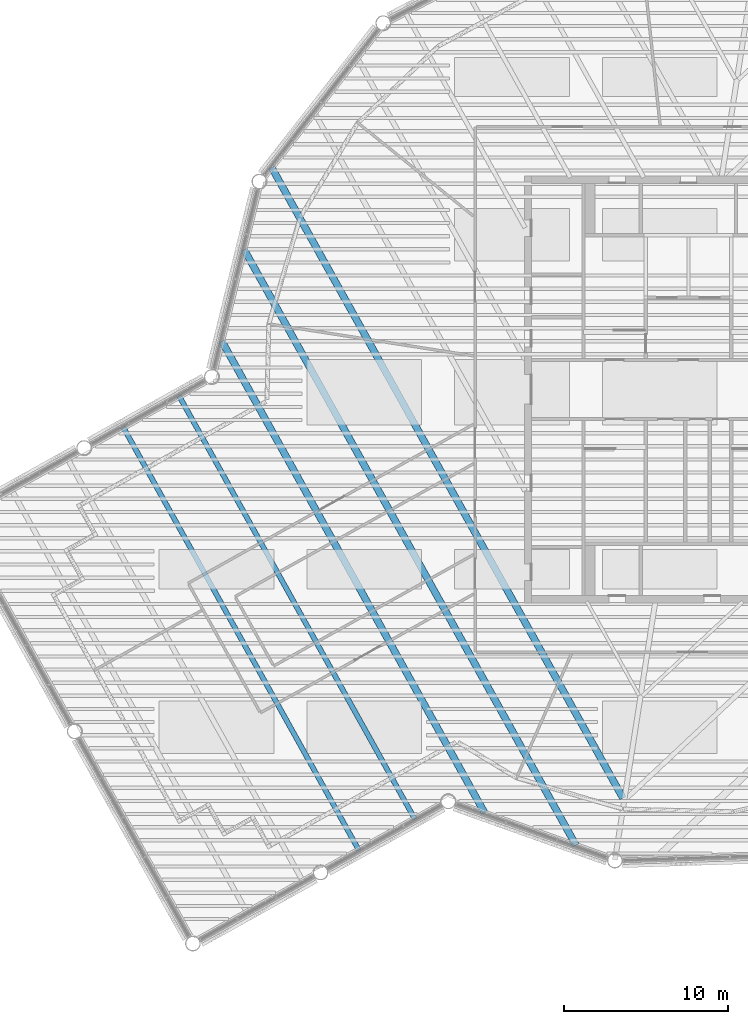
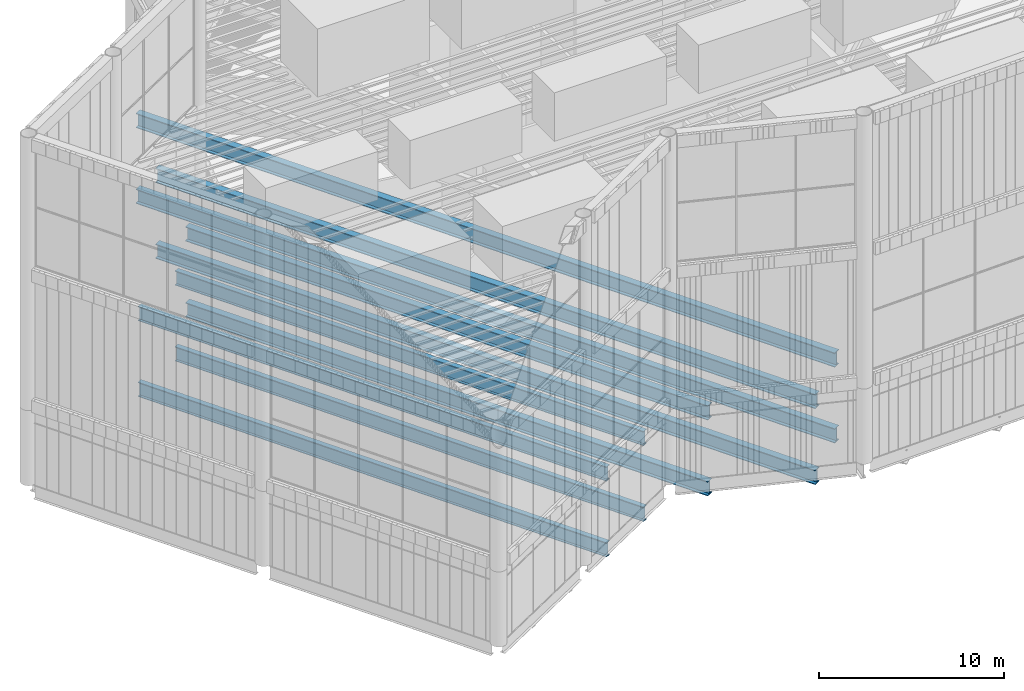
# One storey, part 20 of 117: 10 beams.
"""IFC4 building model written with IfcOpenShell, lengths in metres."""

from ifc_helpers import new_model, si_unit, direction, frame, origin, origin_2d, place, context, subcontext, project, spatial, i_section, extrude, material, material_profile, profile_set, type_object, element, save


model = new_model("IFC4")

# Units and contexts
model_context = context("Model", 3, precision=1e-05, world=origin(), true_north=direction((0.0, 1.0)))
body_context = subcontext(model_context, "Body", "Model", "MODEL_VIEW")
ifc_project = project(units=[si_unit("LENGTHUNIT", "METRE"), si_unit("AREAUNIT", "SQUARE_METRE"), si_unit("VOLUMEUNIT", "CUBIC_METRE"), si_unit("PLANEANGLEUNIT", "RADIAN"), si_unit("MASSUNIT", "GRAM", prefix="KILO")], contexts=[model_context])

# Site, building, storey
site_placement = place(None, origin())
site = spatial("IfcSite", under=ifc_project, at=site_placement, CompositionType="ELEMENT")
building_placement = place(site_placement, origin())
building = spatial("IfcBuilding", under=site, at=building_placement, Name="Tarsis Ring Headquarters", CompositionType="ELEMENT")
storey_placement = place(building_placement, frame((0.0, 0.0, 403.60009765625)))
storey = spatial("IfcBuildingStorey", under=building, at=storey_placement, Name="L95", CompositionType="ELEMENT", Elevation=403.60009765625)

# Beams
ifc_material = material(Name="Structural steel S355", Category="steel")
ifc_material_profile_1 = material_profile(ifc_material, i_section(OverallWidth=0.309814453125, OverallDepth=0.949951171875, WebThickness=0.0244140625, FlangeThickness=0.0439453125, at=origin_2d()), Name="W36x256")
ifc_profile_set_1 = profile_set([ifc_material_profile_1], Name="Structural steel S355")
beam_type_1 = type_object("IfcBeamType", Name="FB Floor beam W36x256", PredefinedType="JOIST", material=ifc_profile_set_1)
beam_1_placement = place(storey_placement, frame((-31.026123046875, -0.40185546875, -0.775146484375), z_axis=(0.486642690536, -0.873601105624, 0.0), x_axis=(0.873601105624, 0.486642690536, 0.0)))
element("IfcBeam", 1, at=beam_1_placement, inside=storey, type_object=beam_type_1, Name="Floor beam FB11", PredefinedType="JOIST", context=body_context, shape_type="SweptSolid", body=[
    extrude(i_section(OverallWidth=0.309814453125, OverallDepth=0.949951171875, WebThickness=0.0244140625, FlangeThickness=0.0439453125, at=origin_2d()), origin(), (0.0, 0.0, 1.0), 29.494873046875),
])
beam_2_placement = place(storey_placement, frame((-34.43310546875, -2.299560546875, -0.775146484375), z_axis=(0.486639171589, -0.873603065857, 0.0), x_axis=(0.873603065857, 0.486639171589, 0.0)))
element("IfcBeam", 2, at=beam_2_placement, inside=storey, type_object=beam_type_1, Name="Floor beam FB11", PredefinedType="JOIST", context=body_context, shape_type="SweptSolid", body=[
    extrude(i_section(OverallWidth=0.309814453125, OverallDepth=0.949951171875, WebThickness=0.0244140625, FlangeThickness=0.0439453125, at=origin_2d()), origin(), (0.0, 0.0, 1.0), 29.4951171875),
])
beam_3_placement = place(storey_placement, frame((-31.026123046875, -0.40185546875, 4.224853515625), z_axis=(0.486642690536, -0.873601105624, 0.0), x_axis=(0.873601105624, 0.486642690536, 0.0)))
element("IfcBeam", 3, at=beam_3_placement, inside=storey, type_object=beam_type_1, Name="Floor beam FB11", PredefinedType="JOIST", context=body_context, shape_type="SweptSolid", body=[
    extrude(i_section(OverallWidth=0.309814453125, OverallDepth=0.949951171875, WebThickness=0.0244140625, FlangeThickness=0.0439453125, at=origin_2d()), origin(), (0.0, 0.0, 1.0), 29.494873046875),
])
beam_4_placement = place(storey_placement, frame((-34.43310546875, -2.299560546875, 4.224853515625), z_axis=(0.486639171589, -0.873603065857, 0.0), x_axis=(0.873603065857, 0.486639171589, 0.0)))
element("IfcBeam", 4, at=beam_4_placement, inside=storey, type_object=beam_type_1, Name="Floor beam FB11", PredefinedType="JOIST", context=body_context, shape_type="SweptSolid", body=[
    extrude(i_section(OverallWidth=0.309814453125, OverallDepth=0.949951171875, WebThickness=0.0244140625, FlangeThickness=0.0439453125, at=origin_2d()), origin(), (0.0, 0.0, 1.0), 29.4951171875),
])
ifc_material_profile_2 = material_profile(ifc_material, i_section(OverallWidth=0.42431640625, OverallDepth=0.947509765625, WebThickness=0.02392578125, FlangeThickness=0.042724609375, at=origin_2d()), Name="W36x302")
ifc_profile_set_2 = profile_set([ifc_material_profile_2], Name="Structural steel S355")
beam_type_2 = type_object("IfcBeamType", Name="FB Floor beam W36x302", PredefinedType="JOIST", material=ifc_profile_set_2)
beam_5_placement = place(storey_placement, frame((-25.392333984375, 13.52685546875, -0.773681640625), z_axis=(0.486644435979, -0.873600133316, 0.0), x_axis=(0.873600133316, 0.486644435979, 0.0)))
element("IfcBeam", 5, at=beam_5_placement, inside=storey, type_object=beam_type_2, Name="Floor beam FB12", PredefinedType="JOIST", context=body_context, shape_type="SweptSolid", body=[
    extrude(i_section(OverallWidth=0.42431640625, OverallDepth=0.947509765625, WebThickness=0.02392578125, FlangeThickness=0.042724609375, at=origin_2d()), origin(), (0.0, 0.0, 1.0), 43.989501953125),
])
beam_6_placement = place(storey_placement, frame((-27.06494140625, 8.515625, -0.773681640625), z_axis=(0.48664134015, -0.87360185786, 0.0), x_axis=(0.87360185786, 0.48664134015, 0.0)))
element("IfcBeam", 6, at=beam_6_placement, inside=storey, type_object=beam_type_2, Name="Floor beam FB12", PredefinedType="JOIST", context=body_context, shape_type="SweptSolid", body=[
    extrude(i_section(OverallWidth=0.42431640625, OverallDepth=0.947509765625, WebThickness=0.02392578125, FlangeThickness=0.042724609375, at=origin_2d()), origin(), (0.0, 0.0, 1.0), 41.531494140625),
])
beam_7_placement = place(storey_placement, frame((-28.422607421875, 2.9384765625, -0.773681640625), z_axis=(0.486641775536, -0.873601615328, 0.0), x_axis=(0.873601615328, 0.486641775536, 0.0)))
element("IfcBeam", 7, at=beam_7_placement, inside=storey, type_object=beam_type_2, Name="Floor beam FB12", PredefinedType="JOIST", context=body_context, shape_type="SweptSolid", body=[
    extrude(i_section(OverallWidth=0.42431640625, OverallDepth=0.947509765625, WebThickness=0.02392578125, FlangeThickness=0.042724609375, at=origin_2d()), origin(), (0.0, 0.0, 1.0), 32.8828125),
])
beam_8_placement = place(storey_placement, frame((-25.392333984375, 13.52685546875, 4.226318359375), z_axis=(0.486644435979, -0.873600133316, 0.0), x_axis=(0.873600133316, 0.486644435979, 0.0)))
element("IfcBeam", 8, at=beam_8_placement, inside=storey, type_object=beam_type_2, Name="Floor beam FB12", PredefinedType="JOIST", context=body_context, shape_type="SweptSolid", body=[
    extrude(i_section(OverallWidth=0.42431640625, OverallDepth=0.947509765625, WebThickness=0.02392578125, FlangeThickness=0.042724609375, at=origin_2d()), origin(), (0.0, 0.0, 1.0), 43.989501953125),
])
beam_9_placement = place(storey_placement, frame((-27.06494140625, 8.515625, 4.226318359375), z_axis=(0.48664134015, -0.87360185786, 0.0), x_axis=(0.87360185786, 0.48664134015, 0.0)))
element("IfcBeam", 9, at=beam_9_placement, inside=storey, type_object=beam_type_2, Name="Floor beam FB12", PredefinedType="JOIST", context=body_context, shape_type="SweptSolid", body=[
    extrude(i_section(OverallWidth=0.42431640625, OverallDepth=0.947509765625, WebThickness=0.02392578125, FlangeThickness=0.042724609375, at=origin_2d()), origin(), (0.0, 0.0, 1.0), 41.531494140625),
])
beam_10_placement = place(storey_placement, frame((-28.422607421875, 2.9384765625, 4.226318359375), z_axis=(0.486641775536, -0.873601615328, 0.0), x_axis=(0.873601615328, 0.486641775536, 0.0)))
element("IfcBeam", 10, at=beam_10_placement, inside=storey, type_object=beam_type_2, Name="Floor beam FB12", PredefinedType="JOIST", context=body_context, shape_type="SweptSolid", body=[
    extrude(i_section(OverallWidth=0.42431640625, OverallDepth=0.947509765625, WebThickness=0.02392578125, FlangeThickness=0.042724609375, at=origin_2d()), origin(), (0.0, 0.0, 1.0), 32.8828125),
])

save(model, "model.ifc")
